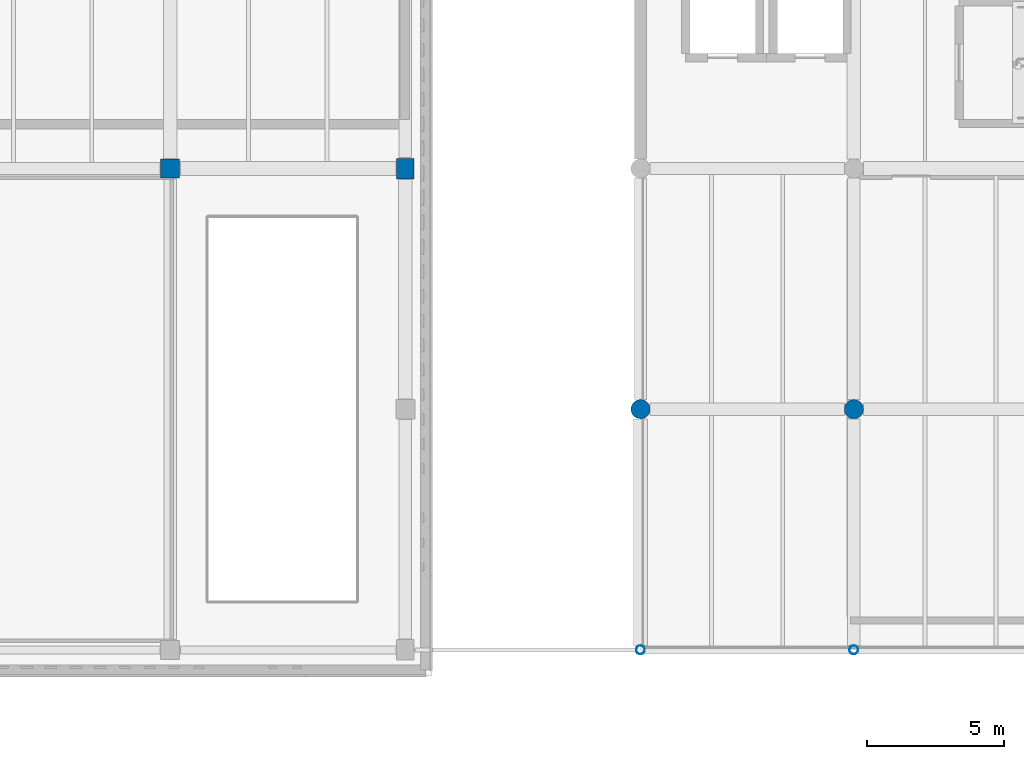
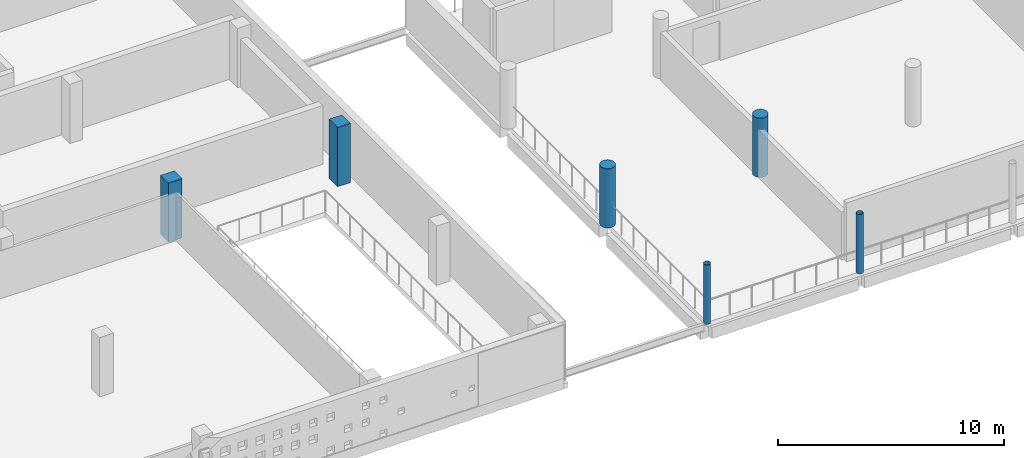
# One storey, part 2 of 55: 6 columns.
"""IFC4 building model written with IfcOpenShell, lengths in metres."""

from ifc_helpers import new_model, si_unit, direction, frame, origin, origin_2d, place, context, subcontext, project, spatial, rectangle, circle, hollow_circle, extrude, material, material_profile, profile_set, type_object, element, save


model = new_model("IFC4")

# Units and contexts
model_context = context("Model", 3, precision=1e-05, world=origin(), true_north=direction((0.0, 1.0)))
body_context = subcontext(model_context, "Body", "Model", "MODEL_VIEW")
ifc_project = project(units=[si_unit("LENGTHUNIT", "METRE"), si_unit("AREAUNIT", "SQUARE_METRE"), si_unit("VOLUMEUNIT", "CUBIC_METRE"), si_unit("PLANEANGLEUNIT", "RADIAN"), si_unit("MASSUNIT", "GRAM", prefix="KILO")], contexts=[model_context])

# Site, building, storey
site_placement = place(None, origin())
site = spatial("IfcSite", under=ifc_project, at=site_placement, CompositionType="ELEMENT")
building_placement = place(site_placement, origin())
building = spatial("IfcBuilding", under=site, at=building_placement, Name="Varnakota Cinema and Media Centre", CompositionType="ELEMENT")
storey_placement = place(building_placement, frame((0.0, 0.0, 15.60009765625)))
storey = spatial("IfcBuildingStorey", under=building, at=storey_placement, Name="L04", CompositionType="ELEMENT", Elevation=15.60009765625)

# Columns
ifc_material_1 = material(Name="Concrete M40", Category="concrete")
ifc_material_profile_1 = material_profile(ifc_material_1, rectangle(XDim=0.64990234375, YDim=0.75, at=origin_2d()), Name="RC 650x750")
ifc_profile_set_1 = profile_set([ifc_material_profile_1], Name="Concrete M40")
column_type_1 = type_object("IfcColumnType", Name="COL-RC-650x750", PredefinedType="COLUMN", material=ifc_profile_set_1)
column_1_placement = place(storey_placement, frame((43.0, 17.60009765625, 0.0), z_axis=(0.0, 0.0, 1.0), x_axis=(1.0, 0.0, 0.0)))
element("IfcColumn", 1, at=column_1_placement, inside=storey, type_object=column_type_1, Name="L04 column F/3", PredefinedType="COLUMN", context=body_context, shape_type="SweptSolid", body=[
    extrude(rectangle(XDim=0.64990234375, YDim=0.75, at=origin_2d()), origin(), (0.0, 0.0, 1.0), 3.199951171875),
])
ifc_material_2 = material(Name="Concrete M40", Category="concrete")
ifc_material_profile_2 = material_profile(ifc_material_2, rectangle(XDim=0.699951171875, YDim=0.699951171875, at=origin_2d()), Name="RC 700x700")
ifc_profile_set_2 = profile_set([ifc_material_profile_2], Name="Concrete M40")
column_type_2 = type_object("IfcColumnType", Name="COL-RC-700x700", PredefinedType="COLUMN", material=ifc_profile_set_2)
column_2_placement = place(storey_placement, frame((34.39990234375, 17.60009765625, 0.0), z_axis=(0.0, 0.0, 1.0), x_axis=(1.0, 0.0, 0.0)))
element("IfcColumn", 2, at=column_2_placement, inside=storey, type_object=column_type_2, Name="L04 column E/3", PredefinedType="COLUMN", context=body_context, shape_type="SweptSolid", body=[
    extrude(rectangle(XDim=0.699951171875, YDim=0.699951171875, at=origin_2d()), origin(), (0.0, 0.0, 1.0), 3.199951171875),
])
ifc_material_3 = material(Name="Concrete M40", Category="concrete")
ifc_material_profile_3 = material_profile(ifc_material_3, circle(Radius=0.35009765625, at=origin_2d()), Name="RC D700")
ifc_profile_set_3 = profile_set([ifc_material_profile_3], Name="Concrete M40")
column_type_3 = type_object("IfcColumnType", Name="COL-RC-D700", PredefinedType="COLUMN", material=ifc_profile_set_3)
for number, where, z_axis, x_axis, name in (
    (3, (51.60009765625, 8.800048828125, 0.0), (0.0, 0.0, 1.0), (1.0, 0.0, 0.0), "L04 column G/2"),
    (4, (59.39990234375, 8.800048828125, 0.0), (0.0, 0.0, 1.0), (1.0, 0.0, 0.0), "L04 column H/2"),
):
    element("IfcColumn", number, at=place(storey_placement, frame(where, z_axis=z_axis, x_axis=x_axis)), inside=storey, type_object=column_type_3, Name=name, PredefinedType="COLUMN", context=body_context, shape_type="SweptSolid", body=[
        extrude(circle(Radius=0.35009765625, at=origin_2d()), origin(), (0.0, 0.0, 1.0), 3.199951171875),
    ])
ifc_material_4 = material(Name="Structural steel S355 (YSt 355)", Category="steel")
ifc_material_profile_4 = material_profile(ifc_material_4, hollow_circle(Radius=0.161865234375, WallThickness=0.010009765625, at=origin_2d()), Name="CHS 323.9x10.0")
ifc_profile_set_4 = profile_set([ifc_material_profile_4], Name="Structural steel S355 (YSt 355)")
column_type_4 = type_object("IfcColumnType", Name="COL-ST-CHS324", PredefinedType="COLUMN", material=ifc_profile_set_4)
for number, where, z_axis, x_axis, name in (
    (5, (51.60009765625, 0.0, 0.0), (0.0, 0.0, 1.0), (1.0, 0.0, 0.0), "L04 column G/1"),
    (6, (59.39990234375, 0.0, 0.0), (0.0, 0.0, 1.0), (1.0, 0.0, 0.0), "L04 column H/1"),
):
    element("IfcColumn", number, at=place(storey_placement, frame(where, z_axis=z_axis, x_axis=x_axis)), inside=storey, type_object=column_type_4, Name=name, PredefinedType="COLUMN", context=body_context, shape_type="SweptSolid", body=[
        extrude(hollow_circle(Radius=0.161865234375, WallThickness=0.010009765625, at=origin_2d()), origin(), (0.0, 0.0, 1.0), 3.199951171875),
    ])

save(model, "model.ifc")
